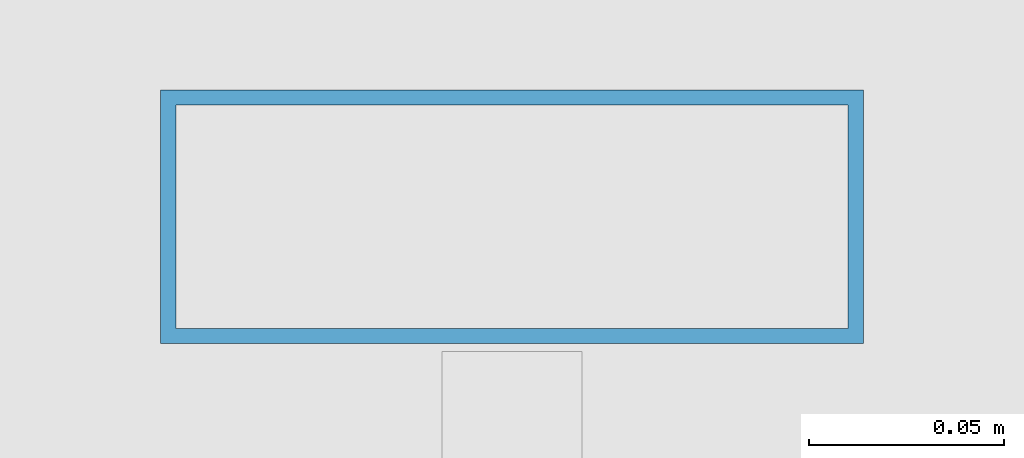
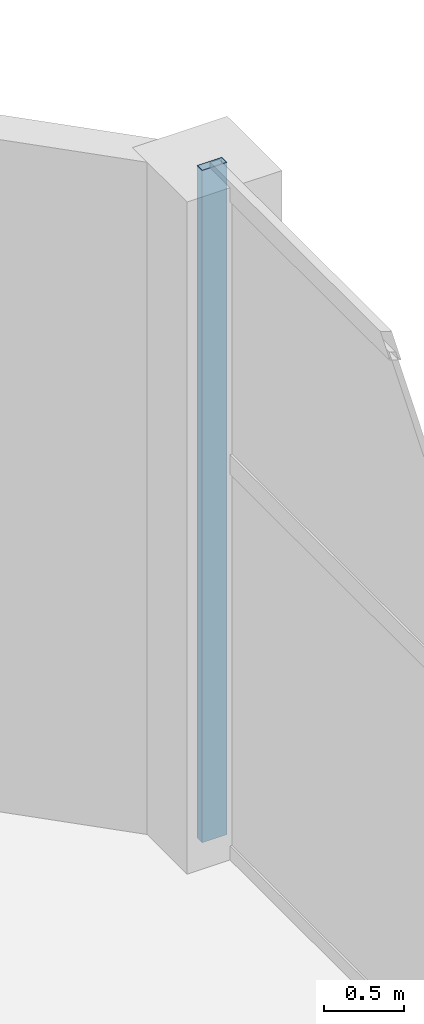
# One storey, part 31 of 52: 1 member, 1 element without a shape of its own.
"""IFC4 building model written with IfcOpenShell, lengths in metres."""

import ifcopenshell
import ifcopenshell.guid

model = None  # the IFC model being written
_history = None  # IfcOwnerHistory: only IFC2X3 demands one
_inside = {}  # id of a spatial element -> (the spatial element, [elements in it])
_under = {}  # id of a project, library or spatial element -> (it, [spatial elements below it])
_declared = {}  # id of a project -> (the project, [libraries it declares])
_typed = {}  # id of a type object -> (the type object, [elements of that type])
_made_of = {}  # id of a material, layer set ... -> (it, [elements and type objects made of it])


def new_model(schema):
    """Start an empty IFC model of exactly this schema.

    Asked for "IFC4X3", IfcOpenShell would pick the latest addendum, in which some entities
    have other attributes; the version numbers below select the first issue.
    IFC2X3 requires an IfcOwnerHistory on every rooted entity: one is made here for all.
    """
    global model, _history
    if schema == "IFC4X3":
        model = ifcopenshell.file(schema_version=(4, 3, 0, 0))
    else:
        model = ifcopenshell.file(schema=schema)
    _inside.clear()
    _under.clear()
    _declared.clear()
    _typed.clear()
    _made_of.clear()
    _history = None
    if model.schema == "IFC2X3":
        org = make("IfcOrganization", Name="unknown")
        user = make(
            "IfcPersonAndOrganization",
            ThePerson=make("IfcPerson", FamilyName="unknown"),
            TheOrganization=org,
        )
        app = make(
            "IfcApplication",
            ApplicationDeveloper=org,
            Version="unknown",
            ApplicationFullName="unknown",
            ApplicationIdentifier="unknown",
        )
        _history = make(
            "IfcOwnerHistory",
            OwningUser=user,
            OwningApplication=app,
            ChangeAction="ADDED",
            CreationDate=0,
        )
    return model


def make(cls, **values):
    """One entity of the class cls with the attributes given. An attribute that is None is left unset."""
    return model.create_entity(
        cls, **{name: value for name, value in values.items() if value is not None}
    )


def rooted(cls, **values):
    """An entity with a GlobalId (a new one), such as an element, a storey or a relation."""
    return make(cls, GlobalId=ifcopenshell.guid.new(), OwnerHistory=_history, **values)


def si_unit(unit_type, name, prefix=None):
    """IfcSIUnit, for example si_unit("LENGTHUNIT", "METRE", prefix="MILLI")."""
    return make("IfcSIUnit", UnitType=unit_type, Prefix=prefix, Name=name)


def assignment(units):
    """IfcUnitAssignment: the units of a project."""
    return None if units is None else make("IfcUnitAssignment", Units=units)


def point(xyz):
    """IfcCartesianPoint."""
    return None if xyz is None else make("IfcCartesianPoint", Coordinates=xyz)


def direction(xyz):
    """IfcDirection."""
    return None if xyz is None else make("IfcDirection", DirectionRatios=xyz)


def frame(location, z_axis=None, x_axis=None):
    """IfcAxis2Placement3D, a coordinate frame: its origin and axes. An axis left out is left unset."""
    return make(
        "IfcAxis2Placement3D",
        Location=point(location),
        Axis=direction(z_axis),
        RefDirection=direction(x_axis),
    )


def frame_2d(location, x_axis=None):
    """IfcAxis2Placement2D, a coordinate frame in the plane: its origin and x axis."""
    return make(
        "IfcAxis2Placement2D", Location=point(location), RefDirection=direction(x_axis)
    )


def origin():
    """The frame at (0, 0, 0) with its axes left unset."""
    return frame((0.0, 0.0, 0.0))


def origin_2d():
    """The frame at (0, 0) in the plane with its x axis left unset."""
    return frame_2d((0.0, 0.0))


def place(relative_to, where):
    """IfcLocalPlacement: puts the frame where relative to a parent placement (None: the world)."""
    return make(
        "IfcLocalPlacement", PlacementRelTo=relative_to, RelativePlacement=where
    )


def context(
    kind, dimensions, precision=None, world=None, true_north=None, identifier=None
):
    """IfcGeometricRepresentationContext, for example the 3D "Model" context."""
    return make(
        "IfcGeometricRepresentationContext",
        ContextIdentifier=identifier,
        ContextType=kind,
        CoordinateSpaceDimension=dimensions,
        Precision=precision,
        WorldCoordinateSystem=world,
        TrueNorth=true_north,
    )


def subcontext(parent, identifier, kind, view, scale=None):
    """IfcGeometricRepresentationSubContext, for example "Body" below "Model"."""
    return make(
        "IfcGeometricRepresentationSubContext",
        ContextIdentifier=identifier,
        ContextType=kind,
        ParentContext=parent,
        TargetScale=scale,
        TargetView=view,
    )


def project(units=None, contexts=None):
    """IfcProject with its units and contexts."""
    return rooted(
        "IfcProject",
        Name="project",
        RepresentationContexts=contexts,
        UnitsInContext=assignment(units),
    )


def spatial(cls, under=None, at=None, **own):
    """A site, building, storey or space (cls), placed at a placement, below another one or the project."""
    s = rooted(cls, ObjectPlacement=at, **own)
    if under is not None:
        _under.setdefault(under.id(), (under, []))[1].append(s)
    return s


def profile(cls, at=None, kind="AREA", **sizes):
    """A parametric profile (cls). Its sizes go by their IFC names, for example OverallWidth=200.0."""
    return make(cls, ProfileType=kind, Position=at, **sizes)


def hollow_rectangle(**sizes):
    """IfcRectangleHollowProfileDef."""
    return profile("IfcRectangleHollowProfileDef", **sizes)


def extrude(swept, where, along, depth):
    """IfcExtrudedAreaSolid: the profile swept, set in the frame where, extruded along a direction by depth."""
    return make(
        "IfcExtrudedAreaSolid",
        SweptArea=swept,
        Position=where,
        ExtrudedDirection=direction(along),
        Depth=depth,
    )


def shape(context_of_items, identifier, shape_type, items):
    """IfcShapeRepresentation: the items that make up one representation, for example the "Body"."""
    return make(
        "IfcShapeRepresentation",
        ContextOfItems=context_of_items,
        RepresentationIdentifier=identifier,
        RepresentationType=shape_type,
        Items=items,
    )


def material(Name=None, Category=None):
    """IfcMaterial."""
    return make("IfcMaterial", Name=Name, Category=Category)


def material_profile(
    of_material, cross_section, Name=None, Category=None, Priority=None
):
    """IfcMaterialProfile: a cross section and its material."""
    return make(
        "IfcMaterialProfile",
        Name=Name,
        Material=of_material,
        Profile=cross_section,
        Priority=Priority,
        Category=Category,
    )


def profile_set(profiles, Name=None, composite=None):
    """IfcMaterialProfileSet."""
    return make(
        "IfcMaterialProfileSet",
        Name=Name,
        MaterialProfiles=profiles,
        CompositeProfile=composite,
    )


def made_of(thing, what):
    """Note that an element or type object is made of a material, layer set ...; save() writes the relation."""
    if what is not None:
        _made_of.setdefault(what.id(), (what, []))[1].append(thing)
    return thing


def type_object(cls, material=None, **own):
    """A type object (cls), such as IfcWallType, which elements share."""
    return made_of(rooted(cls, **own), material)


def element(
    cls,
    number,
    at=None,
    inside=None,
    cuts=None,
    type_object=None,
    material=None,
    context=None,
    identifier="Body",
    shape_type=None,
    held_by="IfcProductDefinitionShape",
    body=None,
    shapes=None,
    **own,
):
    """One element of the class cls, such as IfcWall. Its Tag is "e" and its number.

    at: its placement. inside: the storey or other place that contains it. cuts: it is an
    opening in that element (IfcRelVoidsElement). A single representation is given by context,
    identifier, shape_type and body (its items); several are given by shapes. held_by: the class
    of the entity that holds the representations. save() writes the other relations.
    """
    e = rooted(cls, Tag="e%d" % number, ObjectPlacement=at, **own)
    if body is not None:
        shapes = [shape(context, identifier, shape_type, body)]
    if shapes is not None:
        e.Representation = make(held_by, Representations=shapes)
    if inside is not None:
        _inside.setdefault(inside.id(), (inside, []))[1].append(e)
    if cuts is not None:
        rooted(
            "IfcRelVoidsElement", RelatingBuildingElement=cuts, RelatedOpeningElement=e
        )
    if type_object is not None:
        _typed.setdefault(type_object.id(), (type_object, []))[1].append(e)
    return made_of(e, material)


def aggregate(whole, parts):
    """IfcRelAggregates: a whole, such as a stair, and the parts it consists of."""
    return rooted("IfcRelAggregates", RelatingObject=whole, RelatedObjects=parts)


def save(model, path):
    """Write the relations noted so far, then the file.

    IfcRelAggregates (storeys below a building ...), IfcRelContainedInSpatialStructure (elements
    in a storey), IfcRelDefinesByType, IfcRelAssociatesMaterial and IfcRelDeclares: one each for
    every whole, place, type object, material and project.
    """
    for whole, parts in _under.values():
        aggregate(whole, parts)
    for where, things in _inside.values():
        rooted(
            "IfcRelContainedInSpatialStructure",
            RelatedElements=things,
            RelatingStructure=where,
        )
    for kind, things in _typed.values():
        rooted("IfcRelDefinesByType", RelatedObjects=things, RelatingType=kind)
    for what, things in _made_of.values():
        rooted("IfcRelAssociatesMaterial", RelatedObjects=things, RelatingMaterial=what)
    for by, libraries in _declared.values():
        rooted("IfcRelDeclares", RelatingContext=by, RelatedDefinitions=libraries)
    model.write(path)


model = new_model("IFC4")

# Units and contexts
model_context = context("Model", 3, precision=1e-05, world=origin(), true_north=direction((0.0, 1.0)))
body_context = subcontext(model_context, "Body", "Model", "MODEL_VIEW")
ifc_project = project(units=[si_unit("LENGTHUNIT", "METRE"), si_unit("AREAUNIT", "SQUARE_METRE"), si_unit("VOLUMEUNIT", "CUBIC_METRE"), si_unit("PLANEANGLEUNIT", "RADIAN"), si_unit("MASSUNIT", "GRAM", prefix="KILO")], contexts=[model_context])

# Site, building, storey
site_placement = place(None, origin())
site = spatial("IfcSite", under=ifc_project, at=site_placement, CompositionType="ELEMENT")
building_placement = place(site_placement, origin())
building = spatial("IfcBuilding", under=site, at=building_placement, Name="Saevonmaru Cultural Tower", CompositionType="ELEMENT")
storey_placement = place(building_placement, frame((0.0, 0.0, 16.800048828125)))
storey = spatial("IfcBuildingStorey", under=building, at=storey_placement, Name="L03", CompositionType="ELEMENT", Elevation=16.800048828125)

# Curtain wall, member
ifc_material = material(Name="Satin Bronze Anodised Aluminium", Category="aluminium")
curtain_wall_type = type_object("IfcCurtainWallType", Name="CW-POD-GLZ", PredefinedType="NOTDEFINED", material=ifc_material)
curtain_wall_placement = place(storey_placement, origin())
curtain_wall = element("IfcCurtainWall", 1, at=curtain_wall_placement, inside=storey, type_object=curtain_wall_type, Name="L03 Saevon Plaza Curtain Wall", PredefinedType="NOTDEFINED")
ifc_material_profile = material_profile(ifc_material, hollow_rectangle(XDim=0.06494140625, YDim=0.179931640625, WallThickness=0.00390625, at=origin_2d()), Name="ALU-MULL-180x65x4")
ifc_profile_set = profile_set([ifc_material_profile], Name="Satin Bronze Anodised Aluminium")
member_type = type_object("IfcMemberType", Name="ML-CW-180x65", PredefinedType="MULLION", material=ifc_profile_set)
member_placement = place(storey_placement, frame((60.0, 52.739990234375, 0.0), z_axis=(0.0, 0.0, 1.0), x_axis=(0.0, 1.0, 0.0)))
member = element("IfcMember", 2, at=member_placement, type_object=member_type, Name="CW-POD-E-L03 mullion 6", PredefinedType="MULLION", context=body_context, shape_type="SweptSolid", body=[
    extrude(hollow_rectangle(XDim=0.06494140625, YDim=0.179931640625, WallThickness=0.00390625, at=origin_2d()), origin(), (0.0, 0.0, 1.0), 5.099853515625),
])
aggregate(curtain_wall, [member])

save(model, "model.ifc")
